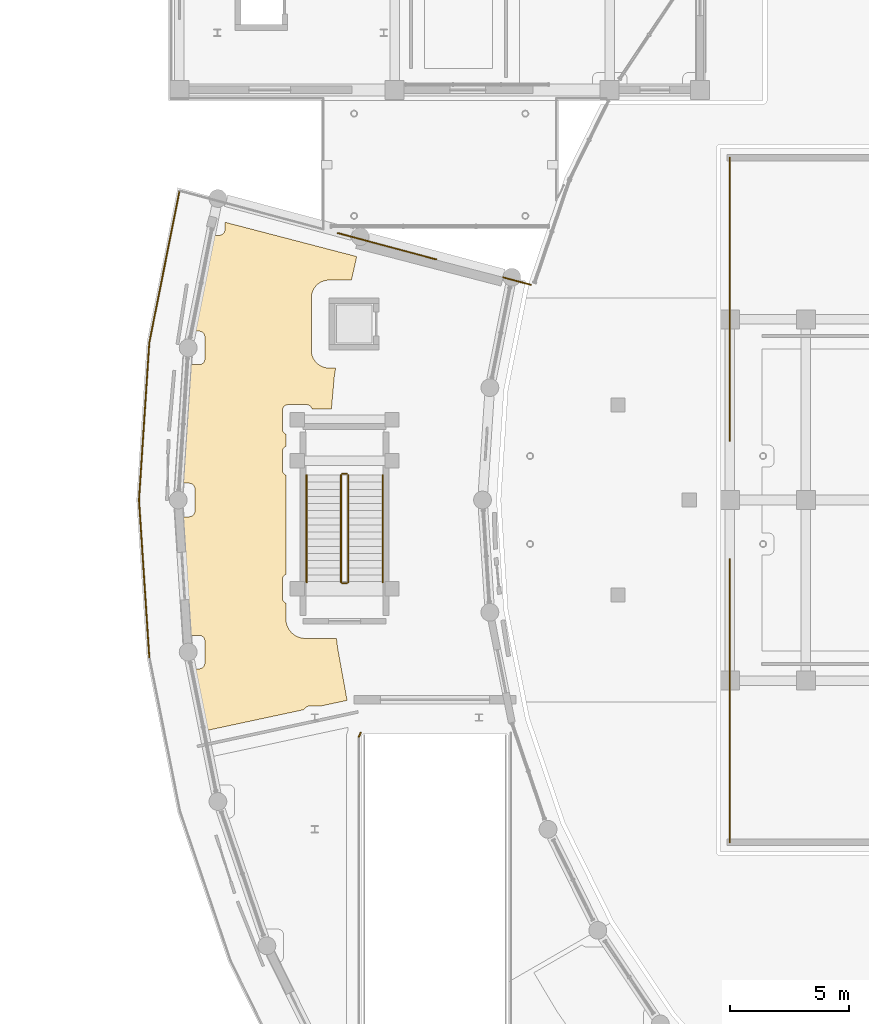
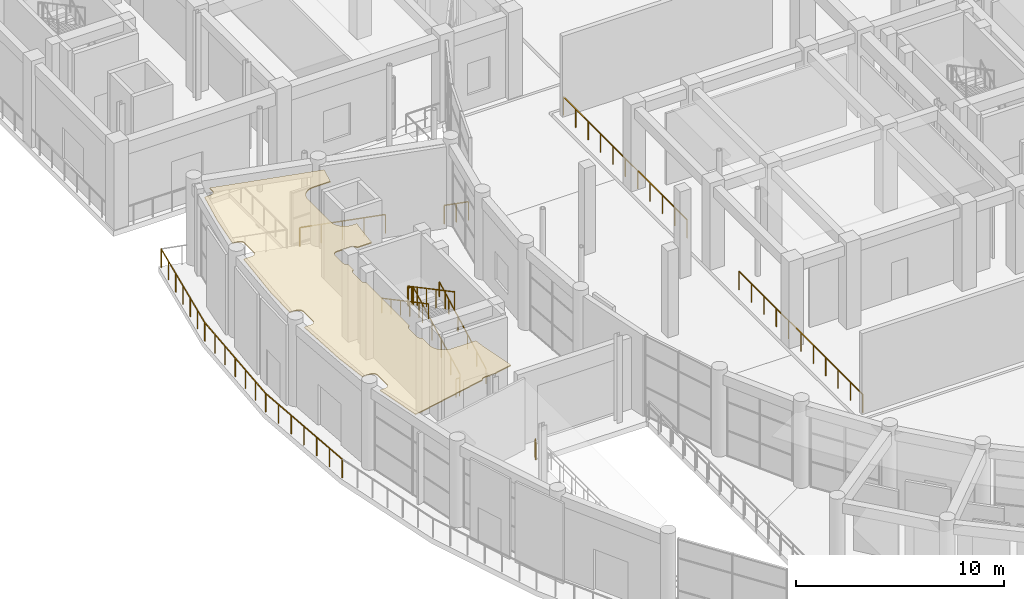
# One storey, part 87 of 99: 14 railings, 1 covering.
"""IFC4 building model written with IfcOpenShell, lengths in metres."""

from ifc_helpers import new_model, si_unit, direction, frame, origin, origin_2d, place, context, subcontext, project, spatial, polyline, rectangle, outline, extrude, material, layer, layer_set, type_object, element, save


model = new_model("IFC4")

# Units and contexts
model_context = context("Model", 3, precision=1e-05, world=origin(), true_north=direction((0.0, 1.0)))
body_context = subcontext(model_context, "Body", "Model", "MODEL_VIEW")
ifc_project = project(units=[si_unit("LENGTHUNIT", "METRE"), si_unit("AREAUNIT", "SQUARE_METRE"), si_unit("VOLUMEUNIT", "CUBIC_METRE"), si_unit("PLANEANGLEUNIT", "RADIAN"), si_unit("MASSUNIT", "GRAM", prefix="KILO")], contexts=[model_context])

# Site, building, storey
site_placement = place(None, origin())
site = spatial("IfcSite", under=ifc_project, at=site_placement, CompositionType="ELEMENT")
building_placement = place(site_placement, origin())
building = spatial("IfcBuilding", under=site, at=building_placement, Name="Saryqyr Civic Hall", CompositionType="ELEMENT")
storey_placement = place(building_placement, origin())
storey = spatial("IfcBuildingStorey", under=building, at=storey_placement, Name="L00", CompositionType="ELEMENT", Elevation=0.0)

# Covering
ifc_material_1 = material(Name="Mineral-fibre acoustic ceiling tile", Category="acoustic_tile")
ifc_layer_1 = layer(ifc_material_1, 0.06005859375, Name="Mineral-fibre acoustic ceiling tile")
ifc_layer_set_1 = layer_set([ifc_layer_1], Name="Mineral-fibre acoustic ceiling tile")
covering_type = type_object("IfcCoveringType", Name="INT-COV-CEIL-60", PredefinedType="CEILING", material=ifc_layer_set_1)
covering_placement = place(storey_placement, frame((0.0, 0.0, 4.760009765625)))
element("IfcCovering", 1, at=covering_placement, inside=storey, type_object=covering_type, Name="Acoustic ceiling Citizens' Service Centre West Hall", PredefinedType="CEILING", context=body_context, shape_type="SweptSolid", body=[
    extrude(outline(polyline([(14.563720703125, 89.16796875), (14.444580078125, 87.820068359375), (13.63232421875, 87.820068359375), (13.629150390625, 87.83251953125), (13.62109375, 87.855712890625), (13.610595703125, 87.877685546875), (13.597900390625, 87.89892578125), (13.583251953125, 87.918701171875), (13.56689453125, 87.936767578125), (13.548583984375, 87.953369140625), (13.52880859375, 87.968017578125), (13.5078125, 87.98046875), (13.485595703125, 87.990966796875), (13.462646484375, 87.999267578125), (13.438720703125, 88.005126953125), (13.41455078125, 88.0087890625), (13.389892578125, 88.010009765625), (12.6298828125, 88.010009765625), (12.60546875, 88.0087890625), (12.581298828125, 88.005126953125), (12.557373046875, 87.999267578125), (12.5341796875, 87.990966796875), (12.51220703125, 87.98046875), (12.4912109375, 87.968017578125), (12.471435546875, 87.953369140625), (12.453125, 87.936767578125), (12.436767578125, 87.918701171875), (12.422119140625, 87.89892578125), (12.409423828125, 87.877685546875), (12.39892578125, 87.855712890625), (12.390869140625, 87.83251953125), (12.384765625, 87.808837890625), (12.381103515625, 87.784423828125), (12.3798828125, 87.760009765625), (12.3798828125, 87.0), (12.381103515625, 86.9755859375), (12.384765625, 86.951171875), (12.390869140625, 86.927490234375), (12.39892578125, 86.904296875), (12.409423828125, 86.882080078125), (12.422119140625, 86.861083984375), (12.436767578125, 86.84130859375), (12.453125, 86.8232421875), (12.471435546875, 86.806640625), (12.4912109375, 86.7919921875), (12.51220703125, 86.779541015625), (12.530029296875, 86.77099609375), (12.530029296875, 86.2587890625), (12.51220703125, 86.25048828125), (12.4912109375, 86.23779296875), (12.471435546875, 86.223388671875), (12.453125, 86.206787109375), (12.436767578125, 86.188720703125), (12.422119140625, 86.1689453125), (12.409423828125, 86.147705078125), (12.39892578125, 86.125732421875), (12.390869140625, 86.1025390625), (12.384765625, 86.078857421875), (12.381103515625, 86.054443359375), (12.3798828125, 86.030029296875), (12.3798828125, 85.27001953125), (12.381103515625, 85.24560546875), (12.384765625, 85.22119140625), (12.390869140625, 85.197509765625), (12.39892578125, 85.17431640625), (12.409423828125, 85.152099609375), (12.422119140625, 85.131103515625), (12.436767578125, 85.111328125), (12.453125, 85.09326171875), (12.471435546875, 85.07666015625), (12.4912109375, 85.06201171875), (12.51220703125, 85.049560546875), (12.530029296875, 85.041015625), (12.530029296875, 80.873779296875), (12.51220703125, 80.865478515625), (12.4912109375, 80.852783203125), (12.471435546875, 80.83837890625), (12.453125, 80.82177734375), (12.436767578125, 80.8037109375), (12.422119140625, 80.783935546875), (12.409423828125, 80.7626953125), (12.39892578125, 80.74072265625), (12.390869140625, 80.717529296875), (12.384765625, 80.69384765625), (12.381103515625, 80.66943359375), (12.3798828125, 80.64501953125), (12.3798828125, 79.885009765625), (12.381103515625, 79.860595703125), (12.384765625, 79.836181640625), (12.390869140625, 79.8125), (12.39892578125, 79.789306640625), (12.409423828125, 79.76708984375), (12.422119140625, 79.74609375), (12.436767578125, 79.726318359375), (12.453125, 79.708251953125), (12.471435546875, 79.691650390625), (12.4912109375, 79.677001953125), (12.51220703125, 79.66455078125), (12.530029296875, 79.656005859375), (12.530029296875, 79.0), (12.530517578125, 78.98046875), (12.532470703125, 78.939208984375), (12.536376953125, 78.900146484375), (12.54248046875, 78.859375), (12.550048828125, 78.82080078125), (12.56005859375, 78.781005859375), (12.571533203125, 78.743408203125), (12.58544921875, 78.70458984375), (12.600341796875, 78.668212890625), (12.617919921875, 78.631103515625), (12.636474609375, 78.596435546875), (12.65771484375, 78.56103515625), (12.679443359375, 78.5283203125), (12.7041015625, 78.495361328125), (12.72900390625, 78.46484375), (12.756591796875, 78.434326171875), (12.784423828125, 78.406494140625), (12.81494140625, 78.37890625), (12.84521484375, 78.35400390625), (12.87841796875, 78.32958984375), (12.910888671875, 78.3076171875), (12.9462890625, 78.28662109375), (12.98095703125, 78.26806640625), (13.018310546875, 78.25048828125), (13.054443359375, 78.2353515625), (13.09326171875, 78.221435546875), (13.130859375, 78.210205078125), (13.1708984375, 78.2001953125), (13.20947265625, 78.1923828125), (13.25, 78.186279296875), (13.289306640625, 78.1826171875), (13.330322265625, 78.180419921875), (13.35009765625, 78.179931640625), (14.658203125, 78.179931640625), (14.695068359375, 77.849853515625), (14.7001953125, 77.813720703125), (15.10400390625, 75.571533203125), (13.97802734375, 75.330078125), (13.52001953125, 75.330078125), (13.49560546875, 75.328857421875), (13.47119140625, 75.3251953125), (13.447509765625, 75.319091796875), (13.42431640625, 75.31103515625), (13.402099609375, 75.300537109375), (13.381103515625, 75.287841796875), (13.361328125, 75.273193359375), (13.34326171875, 75.2568359375), (13.32666015625, 75.238525390625), (13.31201171875, 75.218994140625), (13.299560546875, 75.19775390625), (13.29248046875, 75.182861328125), (9.06201171875, 74.27490234375), (8.589599609375, 76.899169921875), (8.874267578125, 76.899169921875), (8.898681640625, 76.900390625), (8.923095703125, 76.904052734375), (8.94677734375, 76.909912109375), (8.969970703125, 76.918212890625), (8.991943359375, 76.9287109375), (9.01318359375, 76.94140625), (9.03271484375, 76.955810546875), (9.051025390625, 76.972412109375), (9.0673828125, 76.990478515625), (9.08203125, 77.01025390625), (9.0947265625, 77.031494140625), (9.105224609375, 77.053466796875), (9.11328125, 77.07666015625), (9.119384765625, 77.100341796875), (9.123046875, 77.124755859375), (9.124267578125, 77.149169921875), (9.124267578125, 78.05908203125), (9.123046875, 78.083740234375), (9.119384765625, 78.10791015625), (9.11328125, 78.1318359375), (9.105224609375, 78.15478515625), (9.0947265625, 78.177001953125), (9.08203125, 78.197998046875), (9.0673828125, 78.2177734375), (9.051025390625, 78.236083984375), (9.03271484375, 78.25244140625), (9.01318359375, 78.26708984375), (8.991943359375, 78.27978515625), (8.969970703125, 78.290283203125), (8.94677734375, 78.29833984375), (8.923095703125, 78.304443359375), (8.898681640625, 78.30810546875), (8.874267578125, 78.30908203125), (8.42919921875, 78.30908203125), (8.2197265625, 80.177978515625), (8.079833984375, 83.294921875), (8.455078125, 83.294921875), (8.4794921875, 83.296142578125), (8.50390625, 83.2998046875), (8.527587890625, 83.305908203125), (8.55078125, 83.31396484375), (8.57275390625, 83.324462890625), (8.593994140625, 83.337158203125), (8.613525390625, 83.351806640625), (8.6318359375, 83.3681640625), (8.648193359375, 83.386474609375), (8.662841796875, 83.406005859375), (8.675537109375, 83.42724609375), (8.68603515625, 83.44921875), (8.694091796875, 83.472412109375), (8.7001953125, 83.49609375), (8.703857421875, 83.5205078125), (8.705078125, 83.544921875), (8.705078125, 84.455078125), (8.703857421875, 84.4794921875), (8.7001953125, 84.50390625), (8.694091796875, 84.527587890625), (8.68603515625, 84.55078125), (8.675537109375, 84.57275390625), (8.662841796875, 84.593994140625), (8.648193359375, 84.613525390625), (8.6318359375, 84.6318359375), (8.613525390625, 84.648193359375), (8.593994140625, 84.662841796875), (8.57275390625, 84.675537109375), (8.55078125, 84.68603515625), (8.527587890625, 84.694091796875), (8.50390625, 84.7001953125), (8.4794921875, 84.703857421875), (8.455078125, 84.705078125), (8.101318359375, 84.705078125), (8.144287109375, 86.6904296875), (8.409912109375, 89.69091796875), (8.874267578125, 89.69091796875), (8.898681640625, 89.69189453125), (8.923095703125, 89.695556640625), (8.94677734375, 89.70166015625), (8.969970703125, 89.709716796875), (8.991943359375, 89.72021484375), (9.01318359375, 89.73291015625), (9.03271484375, 89.74755859375), (9.051025390625, 89.763916015625), (9.0673828125, 89.7822265625), (9.08203125, 89.802001953125), (9.0947265625, 89.822998046875), (9.105224609375, 89.84521484375), (9.11328125, 89.8681640625), (9.119384765625, 89.89208984375), (9.123046875, 89.916259765625), (9.124267578125, 89.94091796875), (9.124267578125, 90.850830078125), (9.123046875, 90.875244140625), (9.119384765625, 90.899658203125), (9.11328125, 90.92333984375), (9.105224609375, 90.946533203125), (9.0947265625, 90.968505859375), (9.08203125, 90.98974609375), (9.0673828125, 91.009521484375), (9.051025390625, 91.027587890625), (9.03271484375, 91.044189453125), (9.01318359375, 91.05859375), (8.991943359375, 91.0712890625), (8.969970703125, 91.081787109375), (8.94677734375, 91.090087890625), (8.923095703125, 91.095947265625), (8.898681640625, 91.099609375), (8.874267578125, 91.100830078125), (8.613525390625, 91.100830078125), (8.934326171875, 93.155029296875), (9.3798828125, 95.133056640625), (9.719482421875, 95.133056640625), (9.743896484375, 95.13427734375), (9.768310546875, 95.137939453125), (9.7919921875, 95.143798828125), (9.815185546875, 95.152099609375), (9.837158203125, 95.16259765625), (9.8583984375, 95.17529296875), (9.8779296875, 95.189697265625), (9.896240234375, 95.206298828125), (9.91259765625, 95.224609375), (9.92724609375, 95.244140625), (9.93994140625, 95.265380859375), (9.950439453125, 95.287353515625), (9.95849609375, 95.310546875), (9.964599609375, 95.334228515625), (9.96826171875, 95.358642578125), (9.969482421875, 95.383056640625), (9.969482421875, 95.68212890625), (15.50927734375, 94.2392578125), (15.28662109375, 93.25), (14.35009765625, 93.25), (14.330322265625, 93.24951171875), (14.296142578125, 93.247802734375), (14.257080078125, 93.243896484375), (14.222900390625, 93.239013671875), (14.1845703125, 93.231201171875), (14.151123046875, 93.222900390625), (14.113525390625, 93.21142578125), (14.081298828125, 93.199951171875), (14.044921875, 93.18505859375), (14.013916015625, 93.17041015625), (13.9794921875, 93.15185546875), (13.949951171875, 93.134033203125), (13.917236328125, 93.1123046875), (13.8896484375, 93.091796875), (13.859375, 93.06689453125), (13.833984375, 93.0439453125), (13.80615234375, 93.01611328125), (13.783203125, 92.99072265625), (13.75830078125, 92.960205078125), (13.73779296875, 92.9326171875), (13.7158203125, 92.900146484375), (13.6982421875, 92.87060546875), (13.6796875, 92.8359375), (13.6650390625, 92.804931640625), (13.64990234375, 92.768798828125), (13.638427734375, 92.736328125), (13.627197265625, 92.69873046875), (13.61865234375, 92.66552734375), (13.611083984375, 92.626953125), (13.60595703125, 92.593017578125), (13.602294921875, 92.553955078125), (13.6005859375, 92.51953125), (13.60009765625, 92.5), (13.60009765625, 90.300048828125), (13.6005859375, 90.280517578125), (13.602294921875, 90.24609375), (13.60595703125, 90.20703125), (13.611083984375, 90.173095703125), (13.61865234375, 90.134521484375), (13.627197265625, 90.101318359375), (13.638427734375, 90.063720703125), (13.64990234375, 90.03125), (13.6650390625, 89.9951171875), (13.6796875, 89.964111328125), (13.6982421875, 89.929443359375), (13.7158203125, 89.89990234375), (13.73779296875, 89.8671875), (13.75830078125, 89.839599609375), (13.783203125, 89.809326171875), (13.80615234375, 89.783935546875), (13.833984375, 89.756103515625), (13.859375, 89.733154296875), (13.8896484375, 89.708251953125), (13.917236328125, 89.687744140625), (13.949951171875, 89.666015625), (13.9794921875, 89.648193359375), (14.013916015625, 89.629638671875), (14.044921875, 89.614990234375), (14.081298828125, 89.60009765625), (14.113525390625, 89.58837890625), (14.151123046875, 89.5771484375), (14.1845703125, 89.568603515625), (14.222900390625, 89.56103515625), (14.257080078125, 89.555908203125), (14.296142578125, 89.55224609375), (14.330322265625, 89.550537109375), (14.35009765625, 89.550048828125), (14.622314453125, 89.550048828125), (14.568359375, 89.204345703125), (14.563720703125, 89.16796875)])), origin(), (0.0, 0.0, 1.0), 0.06005859375),
])

# Railings
ifc_material_2 = material(Name="Warm brushed brass and laminated glass", Category="glass")
ifc_layer_2 = layer(ifc_material_2, 0.06005859375, Name="Warm brushed brass and laminated glass")
ifc_layer_set_2 = layer_set([ifc_layer_2], Name="Warm brushed brass and laminated glass")
railing_type_1 = type_object("IfcRailingType", Name="INT-RLG-BAL-1100", PredefinedType="BALUSTRADE", material=ifc_layer_set_2)
railing_1_placement = place(storey_placement, frame((31.199951171875, 69.60009765625, 0.0)))
element("IfcRailing", 2, at=railing_1_placement, inside=storey, type_object=railing_type_1, Name="Perimeter safety balustrade V1-JNTGA-L00-02-G01", PredefinedType="BALUSTRADE", context=body_context, shape_type="SweptSolid", body=[
    extrude(rectangle(XDim=0.048095703125, YDim=0.048095703125, at=origin_2d()), frame((0.0, 0.0, 1.076171875), z_axis=(0.0, 1.0, 0.0), x_axis=(-1.0, 0.0, 0.0)), (0.0, 0.0, 1.0), 11.89990234375),
    extrude(rectangle(XDim=0.0419921875, YDim=0.0419921875, at=origin_2d()), origin(), (0.0, 0.0, 1.0), 1.052001953125),
    extrude(rectangle(XDim=0.0419921875, YDim=0.0419921875, at=origin_2d()), frame((0.0, 1.18994140625, 0.0)), (0.0, 0.0, 1.0), 1.052001953125),
    extrude(rectangle(XDim=0.0419921875, YDim=0.0419921875, at=origin_2d()), frame((0.0, 2.3798828125, 0.0)), (0.0, 0.0, 1.0), 1.052001953125),
    extrude(rectangle(XDim=0.0419921875, YDim=0.0419921875, at=origin_2d()), frame((0.0, 3.570068359375, 0.0)), (0.0, 0.0, 1.0), 1.052001953125),
    extrude(rectangle(XDim=0.0419921875, YDim=0.0419921875, at=origin_2d()), frame((0.0, 4.760009765625, 0.0)), (0.0, 0.0, 1.0), 1.052001953125),
    extrude(rectangle(XDim=0.0419921875, YDim=0.0419921875, at=origin_2d()), frame((0.0, 5.949951171875, 0.0)), (0.0, 0.0, 1.0), 1.052001953125),
    extrude(rectangle(XDim=0.0419921875, YDim=0.0419921875, at=origin_2d()), frame((0.0, 7.139892578125, 0.0)), (0.0, 0.0, 1.0), 1.052001953125),
    extrude(rectangle(XDim=0.0419921875, YDim=0.0419921875, at=origin_2d()), frame((0.0, 8.329833984375, 0.0)), (0.0, 0.0, 1.0), 1.052001953125),
    extrude(rectangle(XDim=0.0419921875, YDim=0.0419921875, at=origin_2d()), frame((0.0, 9.52001953125, 0.0)), (0.0, 0.0, 1.0), 1.052001953125),
    extrude(rectangle(XDim=0.0419921875, YDim=0.0419921875, at=origin_2d()), frame((0.0, 10.7099609375, 0.0)), (0.0, 0.0, 1.0), 1.052001953125),
    extrude(rectangle(XDim=0.0419921875, YDim=0.0419921875, at=origin_2d()), frame((0.0, 11.89990234375, 0.0)), (0.0, 0.0, 1.0), 1.052001953125),
])
railing_2_placement = place(storey_placement, frame((31.199951171875, 86.5, 0.0)))
element("IfcRailing", 3, at=railing_2_placement, inside=storey, type_object=railing_type_1, Name="Perimeter safety balustrade V1-JNTGB-L00-02-G01", PredefinedType="BALUSTRADE", context=body_context, shape_type="SweptSolid", body=[
    extrude(rectangle(XDim=0.048095703125, YDim=0.048095703125, at=origin_2d()), frame((0.0, 0.0, 1.076171875), z_axis=(0.0, 1.0, 0.0), x_axis=(-1.0, 0.0, 0.0)), (0.0, 0.0, 1.0), 11.89990234375),
    extrude(rectangle(XDim=0.0419921875, YDim=0.0419921875, at=origin_2d()), origin(), (0.0, 0.0, 1.0), 1.052001953125),
    extrude(rectangle(XDim=0.0419921875, YDim=0.0419921875, at=origin_2d()), frame((0.0, 1.18994140625, 0.0)), (0.0, 0.0, 1.0), 1.052001953125),
    extrude(rectangle(XDim=0.0419921875, YDim=0.0419921875, at=origin_2d()), frame((0.0, 2.3798828125, 0.0)), (0.0, 0.0, 1.0), 1.052001953125),
    extrude(rectangle(XDim=0.0419921875, YDim=0.0419921875, at=origin_2d()), frame((0.0, 3.570068359375, 0.0)), (0.0, 0.0, 1.0), 1.052001953125),
    extrude(rectangle(XDim=0.0419921875, YDim=0.0419921875, at=origin_2d()), frame((0.0, 4.760009765625, 0.0)), (0.0, 0.0, 1.0), 1.052001953125),
    extrude(rectangle(XDim=0.0419921875, YDim=0.0419921875, at=origin_2d()), frame((0.0, 5.949951171875, 0.0)), (0.0, 0.0, 1.0), 1.052001953125),
    extrude(rectangle(XDim=0.0419921875, YDim=0.0419921875, at=origin_2d()), frame((0.0, 7.139892578125, 0.0)), (0.0, 0.0, 1.0), 1.052001953125),
    extrude(rectangle(XDim=0.0419921875, YDim=0.0419921875, at=origin_2d()), frame((0.0, 8.329833984375, 0.0)), (0.0, 0.0, 1.0), 1.052001953125),
    extrude(rectangle(XDim=0.0419921875, YDim=0.0419921875, at=origin_2d()), frame((0.0, 9.52001953125, 0.0)), (0.0, 0.0, 1.0), 1.052001953125),
    extrude(rectangle(XDim=0.0419921875, YDim=0.0419921875, at=origin_2d()), frame((0.0, 10.7099609375, 0.0)), (0.0, 0.0, 1.0), 1.052001953125),
    extrude(rectangle(XDim=0.0419921875, YDim=0.0419921875, at=origin_2d()), frame((0.0, 11.89990234375, 0.0)), (0.0, 0.0, 1.0), 1.052001953125),
])
railing_3_placement = place(storey_placement, frame((15.14990234375, 80.550048828125, 0.159423828125)))
element("IfcRailing", 4, at=railing_3_placement, inside=storey, type_object=railing_type_1, Name="L00 ST-4 stair guard 1", PredefinedType="BALUSTRADE", context=body_context, shape_type="SweptSolid", body=[
    extrude(rectangle(XDim=0.048095703125, YDim=0.048095703125, at=origin_2d()), frame((0.0, 0.0, 1.076171875), z_axis=(0.0, 0.883115719457, 0.469155225962), x_axis=(-1.0, 0.0, 0.0)), (0.0, 0.0, 1.0), 5.095703125),
    extrude(rectangle(XDim=0.0419921875, YDim=0.0419921875, at=origin_2d()), origin(), (0.0, 0.0, 1.0), 1.052001953125),
    extrude(rectangle(XDim=0.0419921875, YDim=0.0419921875, at=origin_2d()), frame((0.0, 0.89990234375, 0.47802734375)), (0.0, 0.0, 1.0), 1.052001953125),
    extrude(rectangle(XDim=0.0419921875, YDim=0.0419921875, at=origin_2d()), frame((0.0, 1.800048828125, 0.956298828125)), (0.0, 0.0, 1.0), 1.052001953125),
    extrude(rectangle(XDim=0.0419921875, YDim=0.0419921875, at=origin_2d()), frame((0.0, 2.699951171875, 1.434326171875)), (0.0, 0.0, 1.0), 1.052001953125),
    extrude(rectangle(XDim=0.0419921875, YDim=0.0419921875, at=origin_2d()), frame((0.0, 3.60009765625, 1.91259765625)), (0.0, 0.0, 1.0), 1.052001953125),
    extrude(rectangle(XDim=0.0419921875, YDim=0.0419921875, at=origin_2d()), frame((0.0, 4.5, 2.390625)), (0.0, 0.0, 1.0), 1.052001953125),
])
railing_4_placement = place(storey_placement, frame((15.10009765625, 85.10009765625, 2.550048828125)))
element("IfcRailing", 5, at=railing_4_placement, inside=storey, type_object=railing_type_1, Name="L00 ST-4 stair guard 2", PredefinedType="BALUSTRADE", context=body_context, shape_type="SweptSolid", body=[
    extrude(rectangle(XDim=0.048095703125, YDim=0.048095703125, at=origin_2d()), frame((0.0, 0.0, 1.076171875), z_axis=(-1.0, 0.0, 0.0), x_axis=(0.0, -1.0, 0.0)), (0.0, 0.0, 1.0), 0.2001953125),
    extrude(rectangle(XDim=0.0419921875, YDim=0.0419921875, at=origin_2d()), origin(), (0.0, 0.0, 1.0), 1.052001953125),
    extrude(rectangle(XDim=0.0419921875, YDim=0.0419921875, at=origin_2d()), frame((-0.2001953125, 0.0, 0.0)), (0.0, 0.0, 1.0), 1.052001953125),
])
railing_5_placement = place(storey_placement, frame((14.85009765625, 85.050048828125, 2.70947265625)))
element("IfcRailing", 6, at=railing_5_placement, inside=storey, type_object=railing_type_1, Name="L00 ST-4 stair guard 3", PredefinedType="BALUSTRADE", context=body_context, shape_type="SweptSolid", body=[
    extrude(rectangle(XDim=0.048095703125, YDim=0.048095703125, at=origin_2d()), frame((0.0, 0.0, 1.076171875), z_axis=(0.0, -0.883115719457, 0.469155225962), x_axis=(1.0, 0.0, 0.0)), (0.0, 0.0, 1.0), 5.095703125),
    extrude(rectangle(XDim=0.0419921875, YDim=0.0419921875, at=origin_2d()), origin(), (0.0, 0.0, 1.0), 1.052001953125),
    extrude(rectangle(XDim=0.0419921875, YDim=0.0419921875, at=origin_2d()), frame((0.0, -0.89990234375, 0.47802734375)), (0.0, 0.0, 1.0), 1.052001953125),
    extrude(rectangle(XDim=0.0419921875, YDim=0.0419921875, at=origin_2d()), frame((0.0, -1.800048828125, 0.956298828125)), (0.0, 0.0, 1.0), 1.052001953125),
    extrude(rectangle(XDim=0.0419921875, YDim=0.0419921875, at=origin_2d()), frame((0.0, -2.699951171875, 1.434326171875)), (0.0, 0.0, 1.0), 1.052001953125),
    extrude(rectangle(XDim=0.0419921875, YDim=0.0419921875, at=origin_2d()), frame((0.0, -3.60009765625, 1.91259765625)), (0.0, 0.0, 1.0), 1.052001953125),
    extrude(rectangle(XDim=0.0419921875, YDim=0.0419921875, at=origin_2d()), frame((0.0, -4.5, 2.390625)), (0.0, 0.0, 1.0), 1.052001953125),
])
railing_6_placement = place(storey_placement, frame((15.10009765625, 80.5, 0.0)))
element("IfcRailing", 7, at=railing_6_placement, inside=storey, type_object=railing_type_1, Name="L00 ST-4 stair guard 4", PredefinedType="BALUSTRADE", context=body_context, shape_type="SweptSolid", body=[
    extrude(rectangle(XDim=0.048095703125, YDim=0.048095703125, at=origin_2d()), frame((0.0, 0.0, 1.076171875), z_axis=(-1.0, 0.0, 0.0), x_axis=(0.0, -1.0, 0.0)), (0.0, 0.0, 1.0), 0.2001953125),
    extrude(rectangle(XDim=0.0419921875, YDim=0.0419921875, at=origin_2d()), origin(), (0.0, 0.0, 1.0), 1.052001953125),
    extrude(rectangle(XDim=0.0419921875, YDim=0.0419921875, at=origin_2d()), frame((-0.2001953125, 0.0, 0.0)), (0.0, 0.0, 1.0), 1.052001953125),
])
railing_7_placement = place(storey_placement, frame((15.669189453125, 74.20703125, 0.0)))
element("IfcRailing", 8, at=railing_7_placement, inside=storey, type_object=railing_type_1, Name="Interior deck safety balustrade L00-052", PredefinedType="BALUSTRADE", context=body_context, shape_type="SweptSolid", body=[
    extrude(rectangle(XDim=0.048095703125, YDim=0.048095703125, at=origin_2d()), frame((0.0, 0.0, 1.09619140625), z_axis=(-0.381835322845, -0.924230375084, 0.0), x_axis=(0.924230375084, -0.381835322845, 0.0)), (0.0, 0.0, 1.0), 0.180908203125),
    extrude(rectangle(XDim=0.0419921875, YDim=0.0419921875, at=origin_2d()), origin(), (0.0, 0.0, 1.0), 1.072021484375),
    extrude(rectangle(XDim=0.0419921875, YDim=0.0419921875, at=origin_2d()), frame((-0.069091796875, -0.167236328125, 0.0)), (0.0, 0.0, 1.0), 1.072021484375),
])
railing_8_placement = place(storey_placement, frame((6.78369140625, 77.388916015625, 0.0)))
element("IfcRailing", 9, at=railing_8_placement, inside=storey, type_object=railing_type_1, Name="Interior deck safety balustrade L00-058", PredefinedType="BALUSTRADE", context=body_context, shape_type="SweptSolid", body=[
    extrude(rectangle(XDim=0.048095703125, YDim=0.048095703125, at=origin_2d()), frame((0.0, 0.0, 1.09619140625), z_axis=(-0.065445272734, 0.997856160114, 0.0), x_axis=(-0.997856160114, -0.065445272734, 0.0)), (0.0, 0.0, 1.0), 6.625244140625),
    extrude(rectangle(XDim=0.0419921875, YDim=0.0419921875, at=origin_2d()), origin(), (0.0, 0.0, 1.0), 1.072021484375),
    extrude(rectangle(XDim=0.0419921875, YDim=0.0419921875, at=origin_2d()), frame((-0.072265625, 1.101806640625, 0.0)), (0.0, 0.0, 1.0), 1.072021484375),
    extrude(rectangle(XDim=0.0419921875, YDim=0.0419921875, at=origin_2d()), frame((-0.14453125, 2.20361328125, 0.0)), (0.0, 0.0, 1.0), 1.072021484375),
    extrude(rectangle(XDim=0.0419921875, YDim=0.0419921875, at=origin_2d()), frame((-0.216796875, 3.3056640625, 0.0)), (0.0, 0.0, 1.0), 1.072021484375),
    extrude(rectangle(XDim=0.0419921875, YDim=0.0419921875, at=origin_2d()), frame((-0.2890625, 4.407470703125, 0.0)), (0.0, 0.0, 1.0), 1.072021484375),
    extrude(rectangle(XDim=0.0419921875, YDim=0.0419921875, at=origin_2d()), frame((-0.361328125, 5.50927734375, 0.0)), (0.0, 0.0, 1.0), 1.072021484375),
    extrude(rectangle(XDim=0.0419921875, YDim=0.0419921875, at=origin_2d()), frame((-0.43359375, 6.611083984375, 0.0)), (0.0, 0.0, 1.0), 1.072021484375),
])
railing_9_placement = place(storey_placement, frame((6.35009765625, 84.0, 0.0)))
element("IfcRailing", 10, at=railing_9_placement, inside=storey, type_object=railing_type_1, Name="Interior deck safety balustrade L00-059", PredefinedType="BALUSTRADE", context=body_context, shape_type="SweptSolid", body=[
    extrude(rectangle(XDim=0.048095703125, YDim=0.048095703125, at=origin_2d()), frame((0.0, 0.0, 1.09619140625), z_axis=(0.065445272734, 0.997856160114, 0.0), x_axis=(-0.997856160114, 0.065445272734, 0.0)), (0.0, 0.0, 1.0), 6.625244140625),
    extrude(rectangle(XDim=0.0419921875, YDim=0.0419921875, at=origin_2d()), origin(), (0.0, 0.0, 1.0), 1.072021484375),
    extrude(rectangle(XDim=0.0419921875, YDim=0.0419921875, at=origin_2d()), frame((0.072265625, 1.101806640625, 0.0)), (0.0, 0.0, 1.0), 1.072021484375),
    extrude(rectangle(XDim=0.0419921875, YDim=0.0419921875, at=origin_2d()), frame((0.14453125, 2.20361328125, 0.0)), (0.0, 0.0, 1.0), 1.072021484375),
    extrude(rectangle(XDim=0.0419921875, YDim=0.0419921875, at=origin_2d()), frame((0.216796875, 3.3056640625, 0.0)), (0.0, 0.0, 1.0), 1.072021484375),
    extrude(rectangle(XDim=0.0419921875, YDim=0.0419921875, at=origin_2d()), frame((0.2890625, 4.407470703125, 0.0)), (0.0, 0.0, 1.0), 1.072021484375),
    extrude(rectangle(XDim=0.0419921875, YDim=0.0419921875, at=origin_2d()), frame((0.361328125, 5.50927734375, 0.0)), (0.0, 0.0, 1.0), 1.072021484375),
    extrude(rectangle(XDim=0.0419921875, YDim=0.0419921875, at=origin_2d()), frame((0.43359375, 6.611083984375, 0.0)), (0.0, 0.0, 1.0), 1.072021484375),
])
railing_10_placement = place(storey_placement, frame((6.78369140625, 90.611083984375, 0.0)))
element("IfcRailing", 11, at=railing_10_placement, inside=storey, type_object=railing_type_1, Name="Interior deck safety balustrade L00-060", PredefinedType="BALUSTRADE", context=body_context, shape_type="SweptSolid", body=[
    extrude(rectangle(XDim=0.048095703125, YDim=0.048095703125, at=origin_2d()), frame((0.0, 0.0, 1.09619140625), z_axis=(0.195043936791, 0.980794505858, 0.0), x_axis=(-0.980794505858, 0.195043936791, 0.0)), (0.0, 0.0, 1.0), 6.525146484375),
    extrude(rectangle(XDim=0.0419921875, YDim=0.0419921875, at=origin_2d()), origin(), (0.0, 0.0, 1.0), 1.072021484375),
    extrude(rectangle(XDim=0.0419921875, YDim=0.0419921875, at=origin_2d()), frame((0.212158203125, 1.066650390625, 0.0)), (0.0, 0.0, 1.0), 1.072021484375),
    extrude(rectangle(XDim=0.0419921875, YDim=0.0419921875, at=origin_2d()), frame((0.42431640625, 2.13330078125, 0.0)), (0.0, 0.0, 1.0), 1.072021484375),
    extrude(rectangle(XDim=0.0419921875, YDim=0.0419921875, at=origin_2d()), frame((0.63623046875, 3.199951171875, 0.0)), (0.0, 0.0, 1.0), 1.072021484375),
    extrude(rectangle(XDim=0.0419921875, YDim=0.0419921875, at=origin_2d()), frame((0.848388671875, 4.2666015625, 0.0)), (0.0, 0.0, 1.0), 1.072021484375),
    extrude(rectangle(XDim=0.0419921875, YDim=0.0419921875, at=origin_2d()), frame((1.060546875, 5.333251953125, 0.0)), (0.0, 0.0, 1.0), 1.072021484375),
    extrude(rectangle(XDim=0.0419921875, YDim=0.0419921875, at=origin_2d()), frame((1.272705078125, 6.39990234375, 0.0)), (0.0, 0.0, 1.0), 1.072021484375),
])
railing_11_placement = place(storey_placement, frame((14.72021484375, 95.225341796875, 0.0)))
element("IfcRailing", 12, at=railing_11_placement, inside=storey, type_object=railing_type_1, Name="Interior deck safety balustrade L00-071", PredefinedType="BALUSTRADE", context=body_context, shape_type="SweptSolid", body=[
    extrude(rectangle(XDim=0.048095703125, YDim=0.048095703125, at=origin_2d()), frame((0.0, 0.0, 1.09619140625), z_axis=(0.965922297244, -0.258832215318, 0.0), x_axis=(0.258832215318, 0.965922297244, 0.0)), (0.0, 0.0, 1.0), 4.27392578125),
    extrude(rectangle(XDim=0.0419921875, YDim=0.0419921875, at=origin_2d()), origin(), (0.0, 0.0, 1.0), 1.072021484375),
    extrude(rectangle(XDim=0.0419921875, YDim=0.0419921875, at=origin_2d()), frame((1.031982421875, -0.276611328125, 0.0)), (0.0, 0.0, 1.0), 1.072021484375),
    extrude(rectangle(XDim=0.0419921875, YDim=0.0419921875, at=origin_2d()), frame((2.06396484375, -0.55322265625, 0.0)), (0.0, 0.0, 1.0), 1.072021484375),
    extrude(rectangle(XDim=0.0419921875, YDim=0.0419921875, at=origin_2d()), frame((3.09619140625, -0.82958984375, 0.0)), (0.0, 0.0, 1.0), 1.072021484375),
    extrude(rectangle(XDim=0.0419921875, YDim=0.0419921875, at=origin_2d()), frame((4.128173828125, -1.106201171875, 0.0)), (0.0, 0.0, 1.0), 1.072021484375),
])
railing_12_placement = place(storey_placement, frame((21.669189453125, 93.36328125, 0.0)))
element("IfcRailing", 13, at=railing_12_placement, inside=storey, type_object=railing_type_1, Name="Interior deck safety balustrade L00-072", PredefinedType="BALUSTRADE", context=body_context, shape_type="SweptSolid", body=[
    extrude(rectangle(XDim=0.048095703125, YDim=0.048095703125, at=origin_2d()), frame((0.0, 0.0, 1.09619140625), z_axis=(0.965951671057, -0.258722571845, 0.0), x_axis=(0.258722571845, 0.965951671057, 0.0)), (0.0, 0.0, 1.0), 1.2041015625),
    extrude(rectangle(XDim=0.0419921875, YDim=0.0419921875, at=origin_2d()), origin(), (0.0, 0.0, 1.0), 1.072021484375),
    extrude(rectangle(XDim=0.0419921875, YDim=0.0419921875, at=origin_2d()), frame((0.58154296875, -0.15576171875, 0.0)), (0.0, 0.0, 1.0), 1.072021484375),
    extrude(rectangle(XDim=0.0419921875, YDim=0.0419921875, at=origin_2d()), frame((1.1630859375, -0.3115234375, 0.0)), (0.0, 0.0, 1.0), 1.072021484375),
])
ifc_material_3 = material(Name="Stainless steel", Category="steel")
ifc_layer_3 = layer(ifc_material_3, 0.050048828125, Name="Stainless steel")
ifc_layer_set_3 = layer_set([ifc_layer_3], Name="Stainless steel")
railing_type_2 = type_object("IfcRailingType", Name="INT-RLG-HND-900", PredefinedType="HANDRAIL", material=ifc_layer_set_3)
railing_13_placement = place(storey_placement, frame((16.60009765625, 80.550048828125, 0.159423828125)))
element("IfcRailing", 14, at=railing_13_placement, inside=storey, type_object=railing_type_2, Name="L00 ST-4 stair handrail 1", PredefinedType="HANDRAIL", context=body_context, shape_type="SweptSolid", body=[
    extrude(rectangle(XDim=0.048095703125, YDim=0.048095703125, at=origin_2d()), frame((0.0, 0.0, 0.8759765625), z_axis=(0.0, 0.883115719457, 0.469155225962), x_axis=(-1.0, 0.0, 0.0)), (0.0, 0.0, 1.0), 5.095703125),
    extrude(rectangle(XDim=0.0419921875, YDim=0.0419921875, at=origin_2d()), origin(), (0.0, 0.0, 1.0), 0.851806640625),
    extrude(rectangle(XDim=0.0419921875, YDim=0.0419921875, at=origin_2d()), frame((0.0, 0.89990234375, 0.47802734375)), (0.0, 0.0, 1.0), 0.851806640625),
    extrude(rectangle(XDim=0.0419921875, YDim=0.0419921875, at=origin_2d()), frame((0.0, 1.800048828125, 0.956298828125)), (0.0, 0.0, 1.0), 0.851806640625),
    extrude(rectangle(XDim=0.0419921875, YDim=0.0419921875, at=origin_2d()), frame((0.0, 2.699951171875, 1.434326171875)), (0.0, 0.0, 1.0), 0.851806640625),
    extrude(rectangle(XDim=0.0419921875, YDim=0.0419921875, at=origin_2d()), frame((0.0, 3.60009765625, 1.91259765625)), (0.0, 0.0, 1.0), 0.851806640625),
    extrude(rectangle(XDim=0.0419921875, YDim=0.0419921875, at=origin_2d()), frame((0.0, 4.5, 2.390625)), (0.0, 0.0, 1.0), 0.851806640625),
])
railing_14_placement = place(storey_placement, frame((13.39990234375, 85.050048828125, 2.70947265625)))
element("IfcRailing", 15, at=railing_14_placement, inside=storey, type_object=railing_type_2, Name="L00 ST-4 stair handrail 2", PredefinedType="HANDRAIL", context=body_context, shape_type="SweptSolid", body=[
    extrude(rectangle(XDim=0.048095703125, YDim=0.048095703125, at=origin_2d()), frame((0.0, 0.0, 0.8759765625), z_axis=(0.0, -0.883115719457, 0.469155225962), x_axis=(1.0, 0.0, 0.0)), (0.0, 0.0, 1.0), 5.095703125),
    extrude(rectangle(XDim=0.0419921875, YDim=0.0419921875, at=origin_2d()), origin(), (0.0, 0.0, 1.0), 0.851806640625),
    extrude(rectangle(XDim=0.0419921875, YDim=0.0419921875, at=origin_2d()), frame((0.0, -0.89990234375, 0.47802734375)), (0.0, 0.0, 1.0), 0.851806640625),
    extrude(rectangle(XDim=0.0419921875, YDim=0.0419921875, at=origin_2d()), frame((0.0, -1.800048828125, 0.956298828125)), (0.0, 0.0, 1.0), 0.851806640625),
    extrude(rectangle(XDim=0.0419921875, YDim=0.0419921875, at=origin_2d()), frame((0.0, -2.699951171875, 1.434326171875)), (0.0, 0.0, 1.0), 0.851806640625),
    extrude(rectangle(XDim=0.0419921875, YDim=0.0419921875, at=origin_2d()), frame((0.0, -3.60009765625, 1.91259765625)), (0.0, 0.0, 1.0), 0.851806640625),
    extrude(rectangle(XDim=0.0419921875, YDim=0.0419921875, at=origin_2d()), frame((0.0, -4.5, 2.390625)), (0.0, 0.0, 1.0), 0.851806640625),
])

save(model, "model.ifc")
